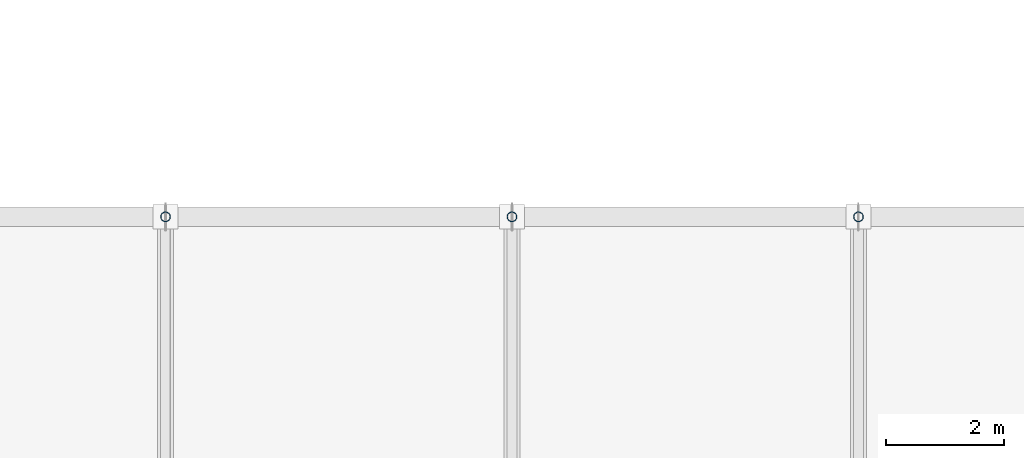
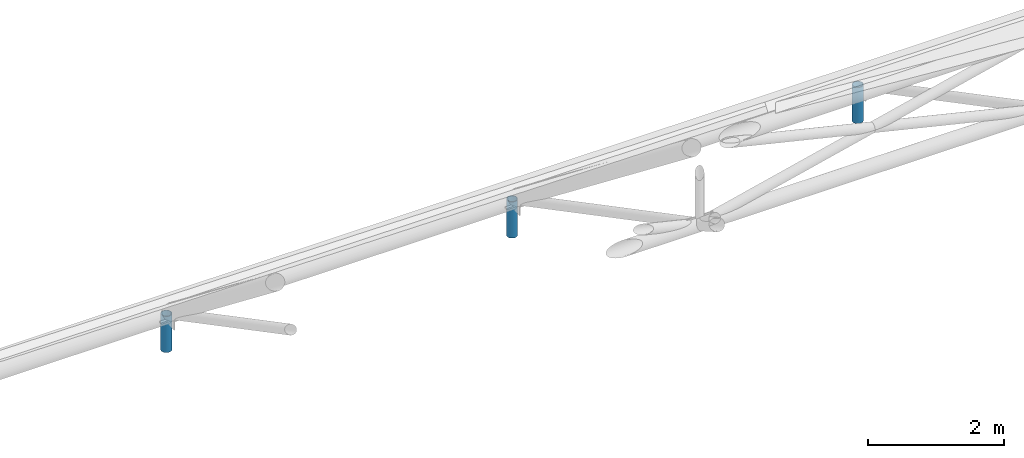
# One storey, part 72 of 82: 3 members.
"""IFC4 building model written with IfcOpenShell, lengths in metres."""

from ifc_helpers import new_model, si_unit, direction, frame, origin, origin_2d, place, context, subcontext, project, spatial, hollow_circle, extrude, material, material_profile, profile_set, type_object, element, save


model = new_model("IFC4")

# Units and contexts
model_context = context("Model", 3, precision=1e-05, world=origin(), true_north=direction((0.0, 1.0)))
body_context = subcontext(model_context, "Body", "Model", "MODEL_VIEW")
ifc_project = project(units=[si_unit("LENGTHUNIT", "METRE"), si_unit("AREAUNIT", "SQUARE_METRE"), si_unit("VOLUMEUNIT", "CUBIC_METRE"), si_unit("PLANEANGLEUNIT", "RADIAN"), si_unit("MASSUNIT", "GRAM", prefix="KILO")], contexts=[model_context])

# Site, building, storey
site_placement = place(None, origin())
site = spatial("IfcSite", under=ifc_project, at=site_placement, CompositionType="ELEMENT")
building_placement = place(site_placement, origin())
building = spatial("IfcBuilding", under=site, at=building_placement, Name="Bramfleet General Hospital", CompositionType="ELEMENT")
storey_placement = place(building_placement, frame((0.0, 0.0, 34.199951171875)))
storey = spatial("IfcBuildingStorey", under=building, at=storey_placement, Name="Roof", CompositionType="ELEMENT", Elevation=34.199951171875)

# Members
ifc_material = material(Name="Steel S355", Category="steel")
ifc_material_profile = material_profile(ifc_material, hollow_circle(Radius=0.084228515625, WallThickness=0.008056640625, at=origin_2d()), Name="CHS 168.3x8.0")
ifc_profile_set = profile_set([ifc_material_profile], Name="Steel S355")
member_type = type_object("IfcMemberType", Name="MEM-SF-DG1", PredefinedType="STRUT", material=ifc_profile_set)
for number, where, z_axis, x_axis, name in (
    (1, (74.335693359375, 50.35009765625, -20.099853515625), (0.0, 0.0, 1.0), (1.0, 0.0, 0.0), "Space Frame Springing Pedestal 4-6"),
    (2, (80.20703125, 50.35009765625, -20.099853515625), (0.0, 0.0, 1.0), (1.0, 0.0, 0.0), "Space Frame Springing Pedestal 5-6"),
    (3, (86.07861328125, 50.35009765625, -20.099853515625), (0.0, 0.0, 1.0), (1.0, 0.0, 0.0), "Space Frame Springing Pedestal 6-6"),
):
    element("IfcMember", number, at=place(storey_placement, frame(where, z_axis=z_axis, x_axis=x_axis)), inside=storey, type_object=member_type, Name=name, PredefinedType="STRUT", context=body_context, shape_type="SweptSolid", body=[
        extrude(hollow_circle(Radius=0.084228515625, WallThickness=0.008056640625, at=origin_2d()), origin(), (0.0, 0.0, 1.0), 0.64990234375),
    ])

save(model, "model.ifc")
